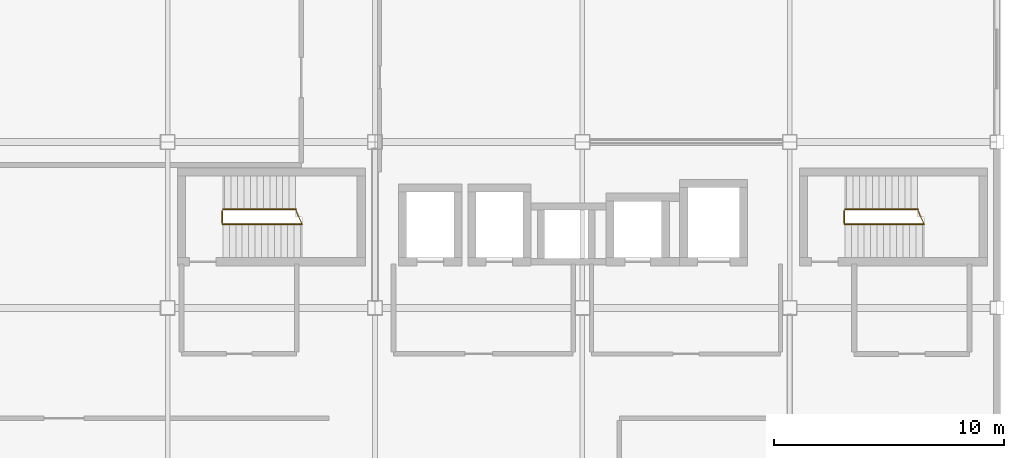
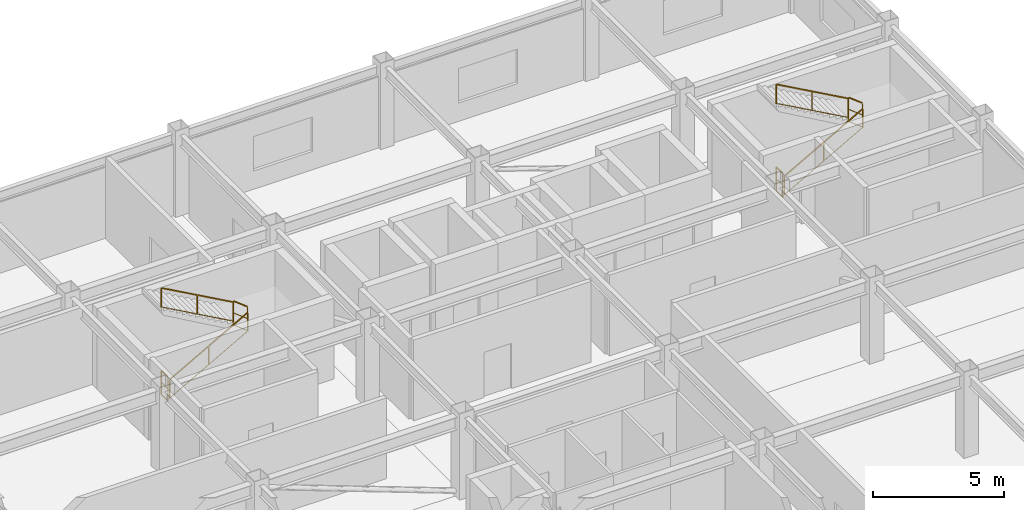
# One storey, part 113 of 113: 8 railings.
"""IFC4 building model written with IfcOpenShell, lengths in metres."""

from ifc_helpers import new_model, si_unit, direction, frame, origin, origin_2d, place, context, subcontext, project, spatial, rectangle, extrude, material, type_object, element, save


model = new_model("IFC4")

# Units and contexts
model_context = context("Model", 3, precision=1e-05, world=origin(), true_north=direction((0.0, 1.0)))
body_context = subcontext(model_context, "Body", "Model", "MODEL_VIEW")
ifc_project = project(units=[si_unit("LENGTHUNIT", "METRE"), si_unit("AREAUNIT", "SQUARE_METRE"), si_unit("VOLUMEUNIT", "CUBIC_METRE"), si_unit("PLANEANGLEUNIT", "RADIAN"), si_unit("MASSUNIT", "GRAM", prefix="KILO")], contexts=[model_context])

# Site, building, storey
site_placement = place(None, origin())
site = spatial("IfcSite", under=ifc_project, at=site_placement, CompositionType="ELEMENT")
building_placement = place(site_placement, origin())
building = spatial("IfcBuilding", under=site, at=building_placement, Name="Kazanami Central Library", CompositionType="ELEMENT")
storey_placement = place(building_placement, frame((0.0, 0.0, 8.800048828125)))
storey = spatial("IfcBuildingStorey", under=building, at=storey_placement, Name="L03", CompositionType="ELEMENT", Elevation=8.800048828125)

# Railings
ifc_material = material(Name="Stainless Steel SUS304", Category="steel")
railing_type_1 = type_object("IfcRailingType", Name="RAL-GR-S1", PredefinedType="GUARDRAIL", material=ifc_material)
railing_1_placement = place(storey_placement, frame((128.360107421875, 82.89501953125, 0.0)))
element("IfcRailing", 1, at=railing_1_placement, inside=storey, type_object=railing_type_1, Name="Stair Well Guard ST-01 L03", PredefinedType="GUARDRAIL", context=body_context, shape_type="SweptSolid", body=[
    extrude(rectangle(XDim=0.0439453125, YDim=0.0439453125, at=origin_2d()), frame((0.0, 0.02587890625, 1.1279296875), z_axis=(0.0, 1.0, 0.0), x_axis=(-1.0, 0.0, 0.0)), (0.0, 0.0, 1.0), 0.4580078125),
    extrude(rectangle(XDim=0.02392578125, YDim=0.02392578125, at=origin_2d()), frame((0.0, 0.02587890625, 0.015869140625), z_axis=(0.0, 1.0, 0.0), x_axis=(-1.0, 0.0, 0.0)), (0.0, 0.0, 1.0), 0.4580078125),
    extrude(rectangle(XDim=0.02392578125, YDim=0.02392578125, at=origin_2d()), frame((0.0, 0.02587890625, 0.574951171875), z_axis=(0.0, 1.0, 0.0), x_axis=(-1.0, 0.0, 0.0)), (0.0, 0.0, 1.0), 0.4580078125),
    extrude(rectangle(XDim=0.035888671875, YDim=0.035888671875, at=origin_2d()), origin(), (0.0, 0.0, 1.0), 1.10205078125),
    extrude(rectangle(XDim=0.035888671875, YDim=0.035888671875, at=origin_2d()), frame((0.0, 0.510009765625, 0.0)), (0.0, 0.0, 1.0), 1.10205078125),
])
railing_2_placement = place(storey_placement, frame((131.827880859375, 82.844970703125, 2.079833984375)))
element("IfcRailing", 2, at=railing_2_placement, inside=storey, type_object=railing_type_1, Name="Half-Landing Well Guard ST-01 L03", PredefinedType="GUARDRAIL", context=body_context, shape_type="SweptSolid", body=[
    extrude(rectangle(XDim=0.0439453125, YDim=0.0439453125, at=origin_2d()), frame((-0.0107421875, 0.023681640625, 1.1279296875), z_axis=(-0.416842571481, 0.90897869645, 0.0), x_axis=(-0.90897869645, -0.416842571481, 0.0)), (0.0, 0.0, 1.0), 0.619140625),
    extrude(rectangle(XDim=0.02392578125, YDim=0.02392578125, at=origin_2d()), frame((-0.0107421875, 0.023681640625, 0.015869140625), z_axis=(-0.416842571481, 0.90897869645, 0.0), x_axis=(-0.90897869645, -0.416842571481, 0.0)), (0.0, 0.0, 1.0), 0.619140625),
    extrude(rectangle(XDim=0.02392578125, YDim=0.02392578125, at=origin_2d()), frame((-0.0107421875, 0.023681640625, 0.574951171875), z_axis=(-0.416842571481, 0.90897869645, 0.0), x_axis=(-0.90897869645, -0.416842571481, 0.0)), (0.0, 0.0, 1.0), 0.619140625),
    extrude(rectangle(XDim=0.035888671875, YDim=0.035888671875, at=origin_2d()), origin(), (0.0, 0.0, 1.0), 1.10205078125),
    extrude(rectangle(XDim=0.035888671875, YDim=0.035888671875, at=origin_2d()), frame((-0.27978515625, 0.610107421875, 0.0)), (0.0, 0.0, 1.0), 1.10205078125),
])
railing_3_placement = place(storey_placement, frame((155.360107421875, 82.89501953125, 0.0)))
element("IfcRailing", 3, at=railing_3_placement, inside=storey, type_object=railing_type_1, Name="Stair Well Guard ST-02 L03", PredefinedType="GUARDRAIL", context=body_context, shape_type="SweptSolid", body=[
    extrude(rectangle(XDim=0.0439453125, YDim=0.0439453125, at=origin_2d()), frame((0.0, 0.02587890625, 1.1279296875), z_axis=(0.0, 1.0, 0.0), x_axis=(-1.0, 0.0, 0.0)), (0.0, 0.0, 1.0), 0.4580078125),
    extrude(rectangle(XDim=0.02392578125, YDim=0.02392578125, at=origin_2d()), frame((0.0, 0.02587890625, 0.015869140625), z_axis=(0.0, 1.0, 0.0), x_axis=(-1.0, 0.0, 0.0)), (0.0, 0.0, 1.0), 0.4580078125),
    extrude(rectangle(XDim=0.02392578125, YDim=0.02392578125, at=origin_2d()), frame((0.0, 0.02587890625, 0.574951171875), z_axis=(0.0, 1.0, 0.0), x_axis=(-1.0, 0.0, 0.0)), (0.0, 0.0, 1.0), 0.4580078125),
    extrude(rectangle(XDim=0.035888671875, YDim=0.035888671875, at=origin_2d()), origin(), (0.0, 0.0, 1.0), 1.10205078125),
    extrude(rectangle(XDim=0.035888671875, YDim=0.035888671875, at=origin_2d()), frame((0.0, 0.510009765625, 0.0)), (0.0, 0.0, 1.0), 1.10205078125),
])
railing_4_placement = place(storey_placement, frame((158.827880859375, 82.844970703125, 2.079833984375)))
element("IfcRailing", 4, at=railing_4_placement, inside=storey, type_object=railing_type_1, Name="Half-Landing Well Guard ST-02 L03", PredefinedType="GUARDRAIL", context=body_context, shape_type="SweptSolid", body=[
    extrude(rectangle(XDim=0.0439453125, YDim=0.0439453125, at=origin_2d()), frame((-0.0107421875, 0.023681640625, 1.1279296875), z_axis=(-0.416842571481, 0.90897869645, 0.0), x_axis=(-0.90897869645, -0.416842571481, 0.0)), (0.0, 0.0, 1.0), 0.619140625),
    extrude(rectangle(XDim=0.02392578125, YDim=0.02392578125, at=origin_2d()), frame((-0.0107421875, 0.023681640625, 0.015869140625), z_axis=(-0.416842571481, 0.90897869645, 0.0), x_axis=(-0.90897869645, -0.416842571481, 0.0)), (0.0, 0.0, 1.0), 0.619140625),
    extrude(rectangle(XDim=0.02392578125, YDim=0.02392578125, at=origin_2d()), frame((-0.0107421875, 0.023681640625, 0.574951171875), z_axis=(-0.416842571481, 0.90897869645, 0.0), x_axis=(-0.90897869645, -0.416842571481, 0.0)), (0.0, 0.0, 1.0), 0.619140625),
    extrude(rectangle(XDim=0.035888671875, YDim=0.035888671875, at=origin_2d()), origin(), (0.0, 0.0, 1.0), 1.10205078125),
    extrude(rectangle(XDim=0.035888671875, YDim=0.035888671875, at=origin_2d()), frame((-0.27978515625, 0.610107421875, 0.0)), (0.0, 0.0, 1.0), 1.10205078125),
])
railing_type_2 = type_object("IfcRailingType", Name="RAL-HR-01", PredefinedType="HANDRAIL", material=ifc_material)
for number, where, name in (
    (5, (128.39404296875, 82.824951171875, 0.159912109375), "Stair Handrail ST-01 Flight 1 (L03)"),
    (6, (155.39404296875, 82.824951171875, 0.159912109375), "Stair Handrail ST-02 Flight 1 (L03)"),
):
    element("IfcRailing", number, at=place(storey_placement, frame(where)), inside=storey, type_object=railing_type_2, Name=name, PredefinedType="HANDRAIL", context=body_context, shape_type="SweptSolid", body=[
        extrude(rectangle(XDim=0.0439453125, YDim=0.0439453125, at=origin_2d()), frame((0.022705078125, 0.0, 0.890625), z_axis=(0.872833868075, 0.0, 0.488017457415), x_axis=(0.0, 1.0, 0.0)), (0.0, 0.0, 1.0), 3.882080078125),
        extrude(rectangle(XDim=0.02392578125, YDim=0.02392578125, at=origin_2d()), frame((0.022705078125, 0.0, 0.028564453125), z_axis=(0.872833868075, 0.0, 0.488017457415), x_axis=(0.0, 1.0, 0.0)), (0.0, 0.0, 1.0), 3.882080078125),
        extrude(rectangle(XDim=0.035888671875, YDim=0.035888671875, at=origin_2d()), origin(), (0.0, 0.0, 1.0), 0.85205078125),
        extrude(rectangle(XDim=0.035888671875, YDim=0.035888671875, at=origin_2d()), frame((1.716796875, 0.0, 0.9599609375)), (0.0, 0.0, 1.0), 0.85205078125),
        extrude(rectangle(XDim=0.035888671875, YDim=0.035888671875, at=origin_2d()), frame((3.433837890625, 0.0, 1.919921875)), (0.0, 0.0, 1.0), 0.85205078125),
    ])
railing_type_3 = type_object("IfcRailingType", Name="RAL-HR-02", PredefinedType="HANDRAIL", material=ifc_material)
for number, where, name in (
    (7, (131.553955078125, 83.47509765625, 2.239990234375), "Stair Handrail ST-01 Flight 2 (L03)"),
    (8, (158.553955078125, 83.47509765625, 2.239990234375), "Stair Handrail ST-02 Flight 2 (L03)"),
):
    element("IfcRailing", number, at=place(storey_placement, frame(where)), inside=storey, type_object=railing_type_3, Name=name, PredefinedType="HANDRAIL", context=body_context, shape_type="SweptSolid", body=[
        extrude(rectangle(XDim=0.0439453125, YDim=0.0439453125, at=origin_2d()), frame((-0.022705078125, 0.0, 0.91064453125), z_axis=(-0.873243856975, 0.0, 0.487283455758), x_axis=(0.0, -1.0, 0.0)), (0.0, 0.0, 1.0), 3.559814453125),
        extrude(rectangle(XDim=0.02392578125, YDim=0.02392578125, at=origin_2d()), frame((-0.022705078125, 0.0, 0.028564453125), z_axis=(-0.873243856975, 0.0, 0.487283455758), x_axis=(0.0, -1.0, 0.0)), (0.0, 0.0, 1.0), 3.559814453125),
        extrude(rectangle(XDim=0.035888671875, YDim=0.035888671875, at=origin_2d()), origin(), (0.0, 0.0, 1.0), 0.8720703125),
        extrude(rectangle(XDim=0.035888671875, YDim=0.035888671875, at=origin_2d()), frame((-1.5771484375, 0.0, 0.8798828125)), (0.0, 0.0, 1.0), 0.8720703125),
        extrude(rectangle(XDim=0.035888671875, YDim=0.035888671875, at=origin_2d()), frame((-3.154052734375, 0.0, 1.760009765625)), (0.0, 0.0, 1.0), 0.8720703125),
    ])

save(model, "model.ifc")
